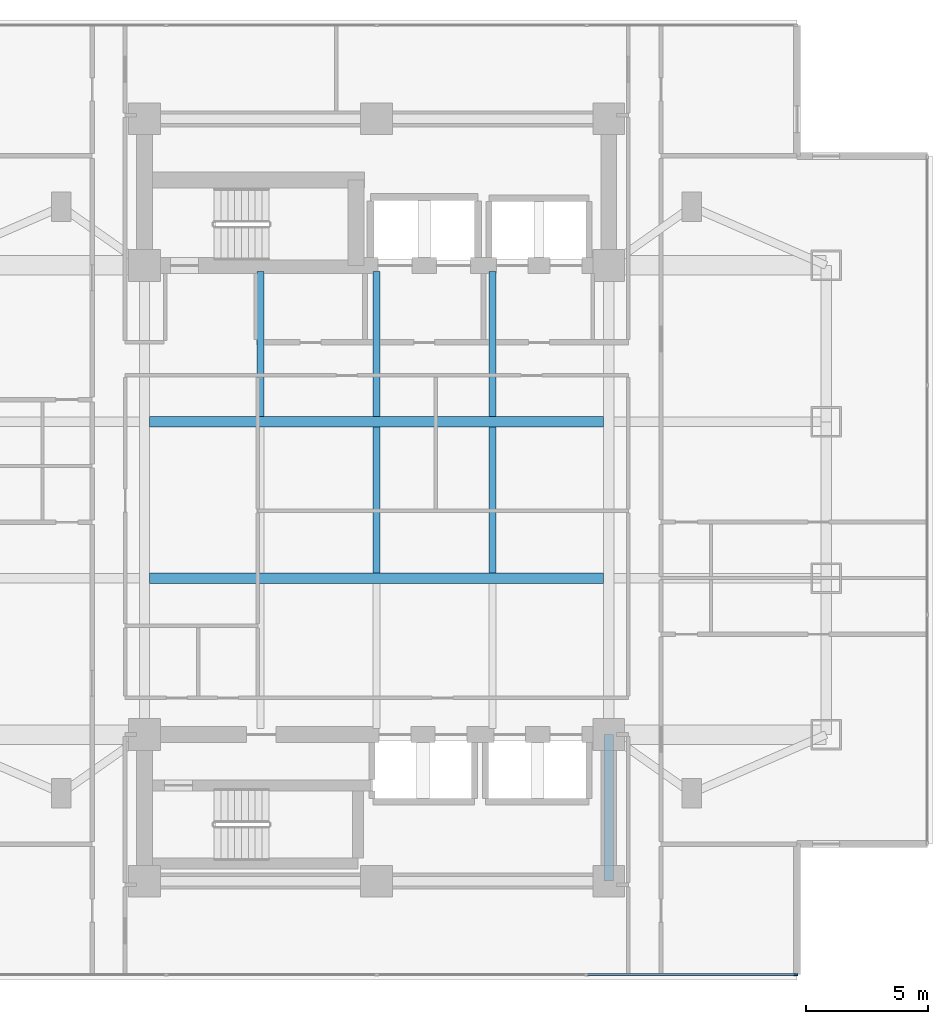
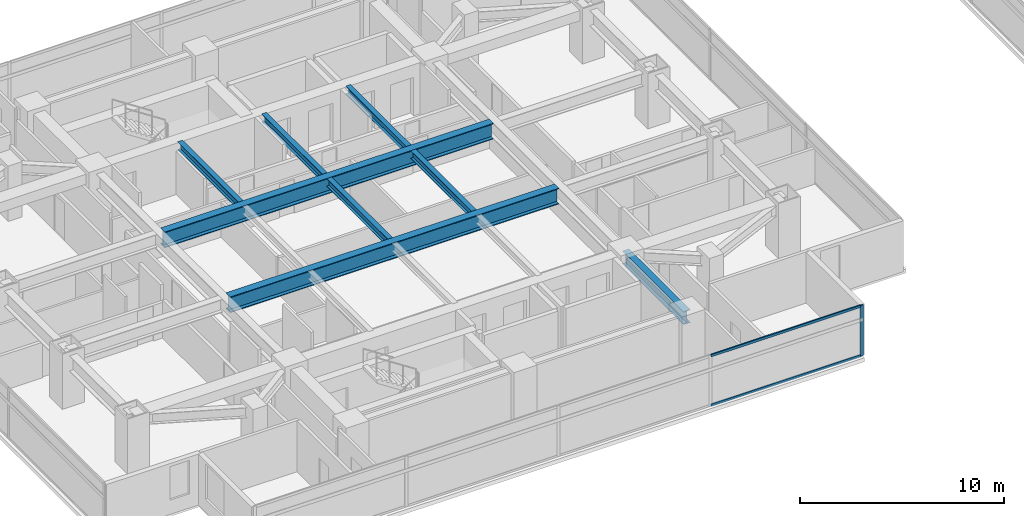
# One storey, part 4 of 27: 8 beams, 3 members, 1 element without a shape of its own.
"""IFC4 building model written with IfcOpenShell, lengths in metres."""

import ifcopenshell
import ifcopenshell.guid

model = None  # the IFC model being written
_history = None  # IfcOwnerHistory: only IFC2X3 demands one
_inside = {}  # id of a spatial element -> (the spatial element, [elements in it])
_under = {}  # id of a project, library or spatial element -> (it, [spatial elements below it])
_declared = {}  # id of a project -> (the project, [libraries it declares])
_typed = {}  # id of a type object -> (the type object, [elements of that type])
_made_of = {}  # id of a material, layer set ... -> (it, [elements and type objects made of it])


def new_model(schema):
    """Start an empty IFC model of exactly this schema.

    Asked for "IFC4X3", IfcOpenShell would pick the latest addendum, in which some entities
    have other attributes; the version numbers below select the first issue.
    IFC2X3 requires an IfcOwnerHistory on every rooted entity: one is made here for all.
    """
    global model, _history
    if schema == "IFC4X3":
        model = ifcopenshell.file(schema_version=(4, 3, 0, 0))
    else:
        model = ifcopenshell.file(schema=schema)
    _inside.clear()
    _under.clear()
    _declared.clear()
    _typed.clear()
    _made_of.clear()
    _history = None
    if model.schema == "IFC2X3":
        org = make("IfcOrganization", Name="unknown")
        user = make(
            "IfcPersonAndOrganization",
            ThePerson=make("IfcPerson", FamilyName="unknown"),
            TheOrganization=org,
        )
        app = make(
            "IfcApplication",
            ApplicationDeveloper=org,
            Version="unknown",
            ApplicationFullName="unknown",
            ApplicationIdentifier="unknown",
        )
        _history = make(
            "IfcOwnerHistory",
            OwningUser=user,
            OwningApplication=app,
            ChangeAction="ADDED",
            CreationDate=0,
        )
    return model


def make(cls, **values):
    """One entity of the class cls with the attributes given. An attribute that is None is left unset."""
    return model.create_entity(
        cls, **{name: value for name, value in values.items() if value is not None}
    )


def rooted(cls, **values):
    """An entity with a GlobalId (a new one), such as an element, a storey or a relation."""
    return make(cls, GlobalId=ifcopenshell.guid.new(), OwnerHistory=_history, **values)


def si_unit(unit_type, name, prefix=None):
    """IfcSIUnit, for example si_unit("LENGTHUNIT", "METRE", prefix="MILLI")."""
    return make("IfcSIUnit", UnitType=unit_type, Prefix=prefix, Name=name)


def assignment(units):
    """IfcUnitAssignment: the units of a project."""
    return None if units is None else make("IfcUnitAssignment", Units=units)


def point(xyz):
    """IfcCartesianPoint."""
    return None if xyz is None else make("IfcCartesianPoint", Coordinates=xyz)


def direction(xyz):
    """IfcDirection."""
    return None if xyz is None else make("IfcDirection", DirectionRatios=xyz)


def frame(location, z_axis=None, x_axis=None):
    """IfcAxis2Placement3D, a coordinate frame: its origin and axes. An axis left out is left unset."""
    return make(
        "IfcAxis2Placement3D",
        Location=point(location),
        Axis=direction(z_axis),
        RefDirection=direction(x_axis),
    )


def frame_2d(location, x_axis=None):
    """IfcAxis2Placement2D, a coordinate frame in the plane: its origin and x axis."""
    return make(
        "IfcAxis2Placement2D", Location=point(location), RefDirection=direction(x_axis)
    )


def origin():
    """The frame at (0, 0, 0) with its axes left unset."""
    return frame((0.0, 0.0, 0.0))


def origin_2d():
    """The frame at (0, 0) in the plane with its x axis left unset."""
    return frame_2d((0.0, 0.0))


def place(relative_to, where):
    """IfcLocalPlacement: puts the frame where relative to a parent placement (None: the world)."""
    return make(
        "IfcLocalPlacement", PlacementRelTo=relative_to, RelativePlacement=where
    )


def context(
    kind, dimensions, precision=None, world=None, true_north=None, identifier=None
):
    """IfcGeometricRepresentationContext, for example the 3D "Model" context."""
    return make(
        "IfcGeometricRepresentationContext",
        ContextIdentifier=identifier,
        ContextType=kind,
        CoordinateSpaceDimension=dimensions,
        Precision=precision,
        WorldCoordinateSystem=world,
        TrueNorth=true_north,
    )


def subcontext(parent, identifier, kind, view, scale=None):
    """IfcGeometricRepresentationSubContext, for example "Body" below "Model"."""
    return make(
        "IfcGeometricRepresentationSubContext",
        ContextIdentifier=identifier,
        ContextType=kind,
        ParentContext=parent,
        TargetScale=scale,
        TargetView=view,
    )


def project(units=None, contexts=None):
    """IfcProject with its units and contexts."""
    return rooted(
        "IfcProject",
        Name="project",
        RepresentationContexts=contexts,
        UnitsInContext=assignment(units),
    )


def spatial(cls, under=None, at=None, **own):
    """A site, building, storey or space (cls), placed at a placement, below another one or the project."""
    s = rooted(cls, ObjectPlacement=at, **own)
    if under is not None:
        _under.setdefault(under.id(), (under, []))[1].append(s)
    return s


def profile(cls, at=None, kind="AREA", **sizes):
    """A parametric profile (cls). Its sizes go by their IFC names, for example OverallWidth=200.0."""
    return make(cls, ProfileType=kind, Position=at, **sizes)


def rectangle(**sizes):
    """IfcRectangleProfileDef."""
    return profile("IfcRectangleProfileDef", **sizes)


def i_section(**sizes):
    """IfcIShapeProfileDef."""
    return profile("IfcIShapeProfileDef", **sizes)


def extrude(swept, where, along, depth):
    """IfcExtrudedAreaSolid: the profile swept, set in the frame where, extruded along a direction by depth."""
    return make(
        "IfcExtrudedAreaSolid",
        SweptArea=swept,
        Position=where,
        ExtrudedDirection=direction(along),
        Depth=depth,
    )


def shape(context_of_items, identifier, shape_type, items):
    """IfcShapeRepresentation: the items that make up one representation, for example the "Body"."""
    return make(
        "IfcShapeRepresentation",
        ContextOfItems=context_of_items,
        RepresentationIdentifier=identifier,
        RepresentationType=shape_type,
        Items=items,
    )


def material(Name=None, Category=None):
    """IfcMaterial."""
    return make("IfcMaterial", Name=Name, Category=Category)


def material_profile(
    of_material, cross_section, Name=None, Category=None, Priority=None
):
    """IfcMaterialProfile: a cross section and its material."""
    return make(
        "IfcMaterialProfile",
        Name=Name,
        Material=of_material,
        Profile=cross_section,
        Priority=Priority,
        Category=Category,
    )


def profile_set(profiles, Name=None, composite=None):
    """IfcMaterialProfileSet."""
    return make(
        "IfcMaterialProfileSet",
        Name=Name,
        MaterialProfiles=profiles,
        CompositeProfile=composite,
    )


def made_of(thing, what):
    """Note that an element or type object is made of a material, layer set ...; save() writes the relation."""
    if what is not None:
        _made_of.setdefault(what.id(), (what, []))[1].append(thing)
    return thing


def type_object(cls, material=None, **own):
    """A type object (cls), such as IfcWallType, which elements share."""
    return made_of(rooted(cls, **own), material)


def element(
    cls,
    number,
    at=None,
    inside=None,
    cuts=None,
    type_object=None,
    material=None,
    context=None,
    identifier="Body",
    shape_type=None,
    held_by="IfcProductDefinitionShape",
    body=None,
    shapes=None,
    **own,
):
    """One element of the class cls, such as IfcWall. Its Tag is "e" and its number.

    at: its placement. inside: the storey or other place that contains it. cuts: it is an
    opening in that element (IfcRelVoidsElement). A single representation is given by context,
    identifier, shape_type and body (its items); several are given by shapes. held_by: the class
    of the entity that holds the representations. save() writes the other relations.
    """
    e = rooted(cls, Tag="e%d" % number, ObjectPlacement=at, **own)
    if body is not None:
        shapes = [shape(context, identifier, shape_type, body)]
    if shapes is not None:
        e.Representation = make(held_by, Representations=shapes)
    if inside is not None:
        _inside.setdefault(inside.id(), (inside, []))[1].append(e)
    if cuts is not None:
        rooted(
            "IfcRelVoidsElement", RelatingBuildingElement=cuts, RelatedOpeningElement=e
        )
    if type_object is not None:
        _typed.setdefault(type_object.id(), (type_object, []))[1].append(e)
    return made_of(e, material)


def aggregate(whole, parts):
    """IfcRelAggregates: a whole, such as a stair, and the parts it consists of."""
    return rooted("IfcRelAggregates", RelatingObject=whole, RelatedObjects=parts)


def save(model, path):
    """Write the relations noted so far, then the file.

    IfcRelAggregates (storeys below a building ...), IfcRelContainedInSpatialStructure (elements
    in a storey), IfcRelDefinesByType, IfcRelAssociatesMaterial and IfcRelDeclares: one each for
    every whole, place, type object, material and project.
    """
    for whole, parts in _under.values():
        aggregate(whole, parts)
    for where, things in _inside.values():
        rooted(
            "IfcRelContainedInSpatialStructure",
            RelatedElements=things,
            RelatingStructure=where,
        )
    for kind, things in _typed.values():
        rooted("IfcRelDefinesByType", RelatedObjects=things, RelatingType=kind)
    for what, things in _made_of.values():
        rooted("IfcRelAssociatesMaterial", RelatedObjects=things, RelatingMaterial=what)
    for by, libraries in _declared.values():
        rooted("IfcRelDeclares", RelatingContext=by, RelatedDefinitions=libraries)
    model.write(path)


model = new_model("IFC4")

# Units and contexts
model_context = context("Model", 3, precision=1e-05, world=origin(), true_north=direction((0.0, 1.0)))
body_context = subcontext(model_context, "Body", "Model", "MODEL_VIEW")
ifc_project = project(units=[si_unit("LENGTHUNIT", "METRE"), si_unit("AREAUNIT", "SQUARE_METRE"), si_unit("VOLUMEUNIT", "CUBIC_METRE"), si_unit("PLANEANGLEUNIT", "RADIAN"), si_unit("MASSUNIT", "GRAM", prefix="KILO")], contexts=[model_context])

# Site, building, storey
site_placement = place(None, origin())
site = spatial("IfcSite", under=ifc_project, at=site_placement, CompositionType="ELEMENT")
building_placement = place(site_placement, origin())
building = spatial("IfcBuilding", under=site, at=building_placement, Name="Mirazonda Arch Towers", CompositionType="ELEMENT")
storey_placement = place(building_placement, frame((0.0, 0.0, 75.199951171875)))
storey = spatial("IfcBuildingStorey", under=building, at=storey_placement, Name="L21", CompositionType="ELEMENT", Elevation=75.199951171875)

# Beams
ifc_material_1 = material(Name="Steel ASTM A992 Grade 50", Category="steel")
ifc_material_profile_1 = material_profile(ifc_material_1, i_section(OverallWidth=0.280029296875, OverallDepth=0.462890625, WebThickness=0.0107421875, FlangeThickness=0.017333984375, at=origin_2d()), Name="W18X76")
ifc_profile_set_1 = profile_set([ifc_material_profile_1], Name="Steel ASTM A992 Grade 50")
beam_type_1 = type_object("IfcBeamType", Name="BM-INT-W18X76", PredefinedType="JOIST", material=ifc_profile_set_1)
for number, where, z_axis, x_axis, name in (
    (1, (15.75, 31.407470703125, 2.82861328125), (0.0, 1.0, 0.0), (-1.0, 0.0, 0.0), "L21 Floor Beam BM-T1-L21-J-157-31"),
    (2, (20.5, 31.407470703125, 2.82861328125), (0.0, 1.0, 0.0), (-1.0, 0.0, 0.0), "L21 Floor Beam BM-T1-L21-J-205-31"),
):
    element("IfcBeam", number, at=place(storey_placement, frame(where, z_axis=z_axis, x_axis=x_axis)), inside=storey, type_object=beam_type_1, Name=name, PredefinedType="JOIST", context=body_context, shape_type="SweptSolid", body=[
        extrude(i_section(OverallWidth=0.280029296875, OverallDepth=0.462890625, WebThickness=0.0107421875, FlangeThickness=0.017333984375, at=origin_2d()), origin(), (0.0, 0.0, 1.0), 5.95263671875),
    ])
beam_1_placement = place(storey_placement, frame((20.5, 25.007568359375, 2.82861328125), z_axis=(0.0, 1.0, 0.0), x_axis=(-1.0, 0.0, 0.0)))
element("IfcBeam", 3, at=beam_1_placement, inside=storey, type_object=beam_type_1, Name="L21 Floor Beam BM-T1-L21-J-205-24", PredefinedType="JOIST", context=body_context, shape_type="SweptSolid", body=[
    extrude(i_section(OverallWidth=0.280029296875, OverallDepth=0.462890625, WebThickness=0.0107421875, FlangeThickness=0.017333984375, at=origin_2d()), origin(), (0.0, 0.0, 1.0), 5.98486328125),
])
beam_2_placement = place(storey_placement, frame((25.25, 31.407470703125, 2.82861328125), z_axis=(0.0, 1.0, 0.0), x_axis=(-1.0, 0.0, 0.0)))
element("IfcBeam", 4, at=beam_2_placement, inside=storey, type_object=beam_type_1, Name="L21 Floor Beam BM-T1-L21-J-252-31", PredefinedType="JOIST", context=body_context, shape_type="SweptSolid", body=[
    extrude(i_section(OverallWidth=0.280029296875, OverallDepth=0.462890625, WebThickness=0.0107421875, FlangeThickness=0.017333984375, at=origin_2d()), origin(), (0.0, 0.0, 1.0), 5.95263671875),
])
beam_3_placement = place(storey_placement, frame((25.25, 25.007568359375, 2.82861328125), z_axis=(0.0, 1.0, 0.0), x_axis=(-1.0, 0.0, 0.0)))
element("IfcBeam", 5, at=beam_3_placement, inside=storey, type_object=beam_type_1, Name="L21 Floor Beam BM-T1-L21-J-252-24", PredefinedType="JOIST", context=body_context, shape_type="SweptSolid", body=[
    extrude(i_section(OverallWidth=0.280029296875, OverallDepth=0.462890625, WebThickness=0.0107421875, FlangeThickness=0.017333984375, at=origin_2d()), origin(), (0.0, 0.0, 1.0), 5.98486328125),
])
ifc_material_profile_2 = material_profile(ifc_material_1, i_section(OverallWidth=0.381103515625, OverallDepth=0.77294921875, WebThickness=0.0166015625, FlangeThickness=0.027099609375, at=origin_2d()), Name="W30X173")
ifc_profile_set_2 = profile_set([ifc_material_profile_2], Name="Steel ASTM A992 Grade 50")
beam_type_2 = type_object("IfcBeamType", Name="BM-INT-W30X173", PredefinedType="USERDEFINED", material=ifc_profile_set_2)
beam_4_placement = place(storey_placement, frame((30.0, 12.39990234375, 2.673583984375), z_axis=(0.0, 1.0, 0.0), x_axis=(-1.0, 0.0, 0.0)))
element("IfcBeam", 6, at=beam_4_placement, inside=storey, type_object=beam_type_2, Name="L21 Floor Beam BM-T1-L21-CSE", ObjectType="GIRDER", PredefinedType="USERDEFINED", context=body_context, shape_type="SweptSolid", body=[
    extrude(i_section(OverallWidth=0.381103515625, OverallDepth=0.77294921875, WebThickness=0.0166015625, FlangeThickness=0.027099609375, at=origin_2d()), origin(), (0.0, 0.0, 1.0), 6.0),
])
ifc_material_profile_3 = material_profile(ifc_material_1, i_section(OverallWidth=0.423095703125, OverallDepth=0.947998046875, WebThickness=0.02392578125, FlangeThickness=0.042724609375, at=origin_2d()), Name="W36X302")
ifc_profile_set_3 = profile_set([ifc_material_profile_3], Name="Steel ASTM A992 Grade 50")
beam_type_3 = type_object("IfcBeamType", Name="BM-INT-W36X302", PredefinedType="USERDEFINED", material=ifc_profile_set_3)
for number, where, z_axis, x_axis, name in (
    (7, (11.21142578125, 24.800048828125, 2.5859375), (1.0, 0.0, 0.0), (0.0, 1.0, 0.0), "L21 Floor Beam BM-T1-L21-GC2"),
    (8, (11.21142578125, 31.199951171875, 2.5859375), (1.0, 0.0, 0.0), (0.0, 1.0, 0.0), "L21 Floor Beam BM-T1-L21-GC3"),
):
    element("IfcBeam", number, at=place(storey_placement, frame(where, z_axis=z_axis, x_axis=x_axis)), inside=storey, type_object=beam_type_3, Name=name, ObjectType="GIRDER", PredefinedType="USERDEFINED", context=body_context, shape_type="SweptSolid", body=[
        extrude(i_section(OverallWidth=0.423095703125, OverallDepth=0.947998046875, WebThickness=0.02392578125, FlangeThickness=0.042724609375, at=origin_2d()), origin(), (0.0, 0.0, 1.0), 18.5771484375),
    ])

# Curtain wall, members
ifc_material_2 = material(Name="Anodised Aluminium and Low-E Glass", Category="aluminium")
curtain_wall_type = type_object("IfcCurtainWallType", Name="CW-HTL-UNIT", PredefinedType="NOTDEFINED", material=ifc_material_2)
curtain_wall_placement = place(storey_placement, origin())
curtain_wall = element("IfcCurtainWall", 9, at=curtain_wall_placement, inside=storey, type_object=curtain_wall_type, Name="L21 T1 S Facade CW-L21-T1-S", PredefinedType="NOTDEFINED")
ifc_material_3 = material(Name="Anodised Aluminium Alloy", Category="aluminium")
ifc_material_profile_4 = material_profile(ifc_material_3, rectangle(XDim=0.074951171875, YDim=0.1650390625, at=origin_2d()), Name="ALU-MULL-75x165")
ifc_profile_set_4 = profile_set([ifc_material_profile_4], Name="Anodised Aluminium Alloy")
member_type_1 = type_object("IfcMemberType", Name="MULL-CW-HTL-UNIT", PredefinedType="MULLION", material=ifc_profile_set_4)
member_1_placement = place(storey_placement, frame((37.66259765625, 8.573974609375, 0.0), z_axis=(0.0, 0.0, 1.0), x_axis=(0.0, -1.0, 0.0)))
member_1 = element("IfcMember", 10, at=member_1_placement, type_object=member_type_1, Name="CW-112 mullion 1", PredefinedType="MULLION", context=body_context, shape_type="SweptSolid", body=[
    extrude(rectangle(XDim=0.074951171875, YDim=0.1650390625, at=origin_2d()), origin(), (0.0, 0.0, 1.0), 3.0400390625),
])
ifc_material_profile_5 = material_profile(ifc_material_3, rectangle(XDim=0.074951171875, YDim=0.14501953125, at=origin_2d()), Name="ALU-TRAN-75x145")
ifc_profile_set_5 = profile_set([ifc_material_profile_5], Name="Anodised Aluminium Alloy")
member_type_2 = type_object("IfcMemberType", Name="TRAN-CW-HTL-UNIT", PredefinedType="USERDEFINED", material=ifc_profile_set_5)
member_2_placement = place(storey_placement, frame((37.625, 8.573974609375, 0.03759765625), z_axis=(-1.0, 0.0, 0.0), x_axis=(0.0, -1.0, 0.0)))
member_2 = element("IfcMember", 11, at=member_2_placement, type_object=member_type_2, Name="CW-112 transom 1.1", ObjectType="TRANSOM", PredefinedType="USERDEFINED", context=body_context, shape_type="SweptSolid", body=[
    extrude(rectangle(XDim=0.074951171875, YDim=0.14501953125, at=origin_2d()), origin(), (0.0, 0.0, 1.0), 8.487548828125),
])
member_3_placement = place(storey_placement, frame((37.625, 8.573974609375, 3.00244140625), z_axis=(-1.0, 0.0, 0.0), x_axis=(0.0, -1.0, 0.0)))
member_3 = element("IfcMember", 12, at=member_3_placement, type_object=member_type_2, Name="CW-112 transom 1.2", ObjectType="TRANSOM", PredefinedType="USERDEFINED", context=body_context, shape_type="SweptSolid", body=[
    extrude(rectangle(XDim=0.074951171875, YDim=0.14501953125, at=origin_2d()), origin(), (0.0, 0.0, 1.0), 8.487548828125),
])
aggregate(curtain_wall, [member_1, member_2, member_3])

save(model, "model.ifc")
